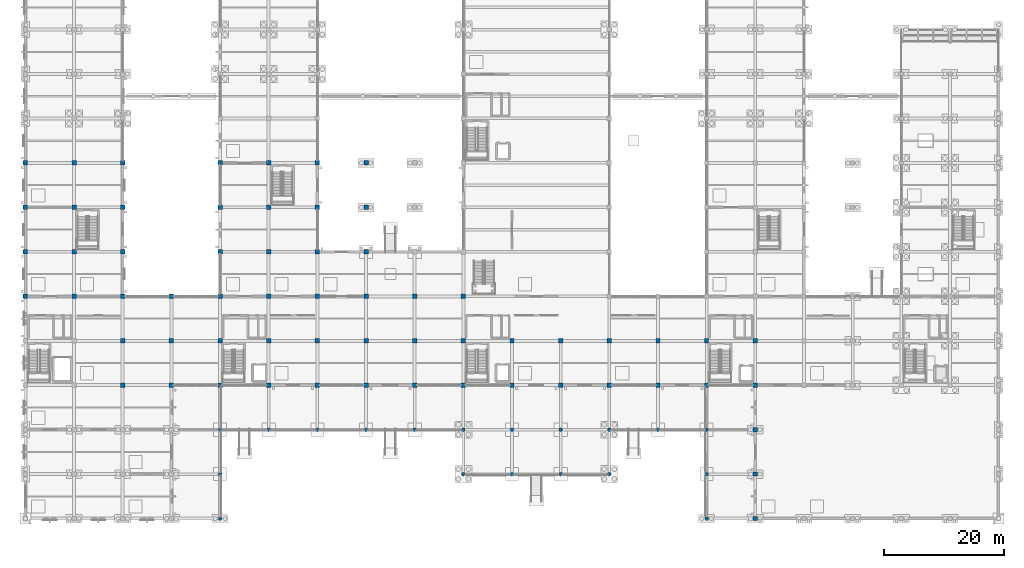
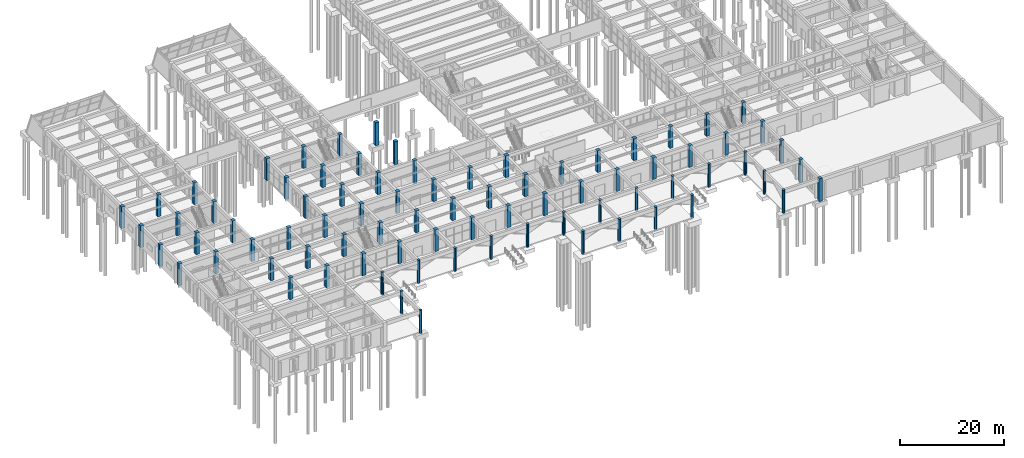
# One storey, part 3 of 140: 81 columns.
"""IFC4 building model written with IfcOpenShell, lengths in metres."""

from ifc_helpers import new_model, si_unit, direction, frame, origin, origin_2d, place, context, subcontext, project, spatial, rectangle, circle, extrude, material, material_profile, profile_set, type_object, element, save


model = new_model("IFC4")

# Units and contexts
model_context = context("Model", 3, precision=1e-05, world=origin(), true_north=direction((0.0, 1.0)))
body_context = subcontext(model_context, "Body", "Model", "MODEL_VIEW")
ifc_project = project(units=[si_unit("LENGTHUNIT", "METRE"), si_unit("AREAUNIT", "SQUARE_METRE"), si_unit("VOLUMEUNIT", "CUBIC_METRE"), si_unit("PLANEANGLEUNIT", "RADIAN"), si_unit("MASSUNIT", "GRAM", prefix="KILO")], contexts=[model_context])

# Site, building, storey
site_placement = place(None, origin())
site = spatial("IfcSite", under=ifc_project, at=site_placement, CompositionType="ELEMENT")
building_placement = place(site_placement, origin())
building = spatial("IfcBuilding", under=site, at=building_placement, Name="Cimatlan Art Gallery", CompositionType="ELEMENT")
storey_placement = place(building_placement, origin())
storey = spatial("IfcBuildingStorey", under=building, at=storey_placement, Name="L00", CompositionType="ELEMENT", Elevation=0.0)

# Columns
ifc_material = material(Name="Concrete C45/55", Category="concrete")
ifc_material_profile_1 = material_profile(ifc_material, circle(Radius=0.300048828125, at=origin_2d()), Name="RCD600")
ifc_profile_set_1 = profile_set([ifc_material_profile_1], Name="Concrete C45/55")
column_type_1 = type_object("IfcColumnType", Name="COL-ARC-600", PredefinedType="COLUMN", material=ifc_profile_set_1)
for number, where, z_axis, x_axis, name in (
    (1, (34.39990234375, 1.699951171875, -0.280029296875), (0.0, 0.0, 1.0), (1.0, 0.0, 0.0), "COL-L00-04-00"),
    (2, (34.39990234375, 9.10009765625, -0.280029296875), (0.0, 0.0, 1.0), (1.0, 0.0, 0.0), "COL-L00-04-01"),
    (3, (34.39990234375, 16.5, -0.280029296875), (0.0, 0.0, 1.0), (1.0, 0.0, 0.0), "COL-L00-04-02"),
    (4, (42.5, 16.5, -0.280029296875), (0.0, 0.0, 1.0), (1.0, 0.0, 0.0), "COL-L00-05-02"),
    (5, (50.60009765625, 16.5, -0.280029296875), (0.0, 0.0, 1.0), (1.0, 0.0, 0.0), "COL-L00-06-02"),
    (6, (58.699951171875, 16.5, -0.280029296875), (0.0, 0.0, 1.0), (1.0, 0.0, 0.0), "COL-L00-07-02"),
    (7, (66.800048828125, 16.5, -0.280029296875), (0.0, 0.0, 1.0), (1.0, 0.0, 0.0), "COL-L00-08-02"),
    (8, (74.89990234375, 9.10009765625, -0.280029296875), (0.0, 0.0, 1.0), (1.0, 0.0, 0.0), "COL-L00-09-01"),
    (9, (74.89990234375, 16.5, -0.280029296875), (0.0, 0.0, 1.0), (1.0, 0.0, 0.0), "COL-L00-09-02"),
    (10, (83.0, 9.10009765625, -0.280029296875), (0.0, 0.0, 1.0), (1.0, 0.0, 0.0), "COL-L00-10-01"),
    (11, (83.0, 16.5, -0.280029296875), (0.0, 0.0, 1.0), (1.0, 0.0, 0.0), "COL-L00-10-02"),
    (12, (91.10009765625, 9.10009765625, -0.280029296875), (0.0, 0.0, 1.0), (1.0, 0.0, 0.0), "COL-L00-11-01"),
    (13, (91.10009765625, 16.5, -0.280029296875), (0.0, 0.0, 1.0), (1.0, 0.0, 0.0), "COL-L00-11-02"),
    (14, (99.199951171875, 9.10009765625, -0.280029296875), (0.0, 0.0, 1.0), (1.0, 0.0, 0.0), "COL-L00-12-01"),
    (15, (99.199951171875, 16.5, -0.280029296875), (0.0, 0.0, 1.0), (1.0, 0.0, 0.0), "COL-L00-12-02"),
    (16, (107.300048828125, 16.5, -0.280029296875), (0.0, 0.0, 1.0), (1.0, 0.0, 0.0), "COL-L00-13-02"),
    (17, (115.39990234375, 1.699951171875, -0.280029296875), (0.0, 0.0, 1.0), (1.0, 0.0, 0.0), "COL-L00-14-00"),
    (18, (115.39990234375, 9.10009765625, -0.280029296875), (0.0, 0.0, 1.0), (1.0, 0.0, 0.0), "COL-L00-14-01"),
    (19, (115.39990234375, 16.5, -0.280029296875), (0.0, 0.0, 1.0), (1.0, 0.0, 0.0), "COL-L00-14-02"),
):
    element("IfcColumn", number, at=place(storey_placement, frame(where, z_axis=z_axis, x_axis=x_axis)), inside=storey, type_object=column_type_1, Name=name, PredefinedType="COLUMN", context=body_context, shape_type="SweptSolid", body=[
        extrude(circle(Radius=0.300048828125, at=origin_2d()), origin(), (0.0, 0.0, 1.0), 5.43994140625),
    ])
ifc_material_profile_2 = material_profile(ifc_material, rectangle(XDim=0.699951171875, YDim=0.699951171875, at=origin_2d()), Name="RC700X700")
ifc_profile_set_2 = profile_set([ifc_material_profile_2], Name="Concrete C45/55")
column_type_2 = type_object("IfcColumnType", Name="COL-RC-700", PredefinedType="COLUMN", material=ifc_profile_set_2)
for number, where, z_axis, x_axis, name in (
    (20, (83.0, 23.89990234375, 0.0), (0.0, 0.0, 1.0), (1.0, 0.0, 0.0), "COL-L00-10-03"),
    (21, (83.0, 31.300048828125, 0.0), (0.0, 0.0, 1.0), (1.0, 0.0, 0.0), "COL-L00-10-04"),
    (22, (91.10009765625, 23.89990234375, 0.0), (0.0, 0.0, 1.0), (1.0, 0.0, 0.0), "COL-L00-11-03"),
    (23, (91.10009765625, 31.300048828125, 0.0), (0.0, 0.0, 1.0), (1.0, 0.0, 0.0), "COL-L00-11-04"),
    (24, (107.300048828125, 23.89990234375, 0.0), (0.0, 0.0, 1.0), (1.0, 0.0, 0.0), "COL-L00-13-03"),
    (25, (107.300048828125, 31.300048828125, 0.0), (0.0, 0.0, 1.0), (1.0, 0.0, 0.0), "COL-L00-13-04"),
    (26, (115.39990234375, 23.89990234375, 0.0), (0.0, 0.0, 1.0), (1.0, 0.0, 0.0), "COL-L00-14-03"),
    (27, (115.39990234375, 31.300048828125, 0.0), (0.0, 0.0, 1.0), (1.0, 0.0, 0.0), "COL-L00-14-04"),
):
    element("IfcColumn", number, at=place(storey_placement, frame(where, z_axis=z_axis, x_axis=x_axis)), inside=storey, type_object=column_type_2, Name=name, PredefinedType="COLUMN", context=body_context, shape_type="SweptSolid", body=[
        extrude(rectangle(XDim=0.699951171875, YDim=0.699951171875, at=origin_2d()), origin(), (0.0, 0.0, 1.0), 5.135009765625),
    ])
for number, where, z_axis, x_axis, name in (
    (28, (123.5, 1.699951171875, -0.280029296875), (0.0, 0.0, 1.0), (1.0, 0.0, 0.0), "COL-L00-15-00"),
    (29, (123.5, 9.10009765625, -0.280029296875), (0.0, 0.0, 1.0), (1.0, 0.0, 0.0), "COL-L00-15-01"),
    (30, (123.5, 16.5, -0.280029296875), (0.0, 0.0, 1.0), (1.0, 0.0, 0.0), "COL-L00-15-02"),
):
    element("IfcColumn", number, at=place(storey_placement, frame(where, z_axis=z_axis, x_axis=x_axis)), inside=storey, type_object=column_type_2, Name=name, PredefinedType="COLUMN", context=body_context, shape_type="SweptSolid", body=[
        extrude(rectangle(XDim=0.699951171875, YDim=0.699951171875, at=origin_2d()), origin(), (0.0, 0.0, 1.0), 5.4150390625),
    ])
for number, where, z_axis, x_axis, name in (
    (31, (123.5, 23.89990234375, 0.0), (0.0, 0.0, 1.0), (1.0, 0.0, 0.0), "COL-L00-15-03"),
    (32, (123.5, 31.300048828125, 0.0), (0.0, 0.0, 1.0), (1.0, 0.0, 0.0), "COL-L00-15-04"),
):
    element("IfcColumn", number, at=place(storey_placement, frame(where, z_axis=z_axis, x_axis=x_axis)), inside=storey, type_object=column_type_2, Name=name, PredefinedType="COLUMN", context=body_context, shape_type="SweptSolid", body=[
        extrude(rectangle(XDim=0.699951171875, YDim=0.699951171875, at=origin_2d()), origin(), (0.0, 0.0, 1.0), 5.135009765625),
    ])
ifc_material_profile_3 = material_profile(ifc_material, rectangle(XDim=0.75, YDim=0.75, at=origin_2d()), Name="RC750X750")
ifc_profile_set_3 = profile_set([ifc_material_profile_3], Name="Concrete C45/55")
column_type_3 = type_object("IfcColumnType", Name="COL-RC-750", PredefinedType="COLUMN", material=ifc_profile_set_3)
for number, where, z_axis, x_axis, name in (
    (33, (2.0, 38.699951171875, 0.0), (0.0, 0.0, 1.0), (1.0, 0.0, 0.0), "COL-L00-00-05"),
    (34, (2.0, 46.10009765625, 0.0), (0.0, 0.0, 1.0), (1.0, 0.0, 0.0), "COL-L00-00-06"),
    (35, (2.0, 53.5, 0.0), (0.0, 0.0, 1.0), (1.0, 0.0, 0.0), "COL-L00-00-07"),
    (36, (2.0, 60.89990234375, 0.0), (0.0, 0.0, 1.0), (1.0, 0.0, 0.0), "COL-L00-00-08"),
    (37, (10.10009765625, 38.699951171875, 0.0), (0.0, 0.0, 1.0), (1.0, 0.0, 0.0), "COL-L00-01-05"),
    (38, (10.10009765625, 46.10009765625, 0.0), (0.0, 0.0, 1.0), (1.0, 0.0, 0.0), "COL-L00-01-06"),
    (39, (10.10009765625, 53.5, 0.0), (0.0, 0.0, 1.0), (1.0, 0.0, 0.0), "COL-L00-01-07"),
    (40, (10.10009765625, 60.89990234375, 0.0), (0.0, 0.0, 1.0), (1.0, 0.0, 0.0), "COL-L00-01-08"),
    (41, (18.199951171875, 23.89990234375, 0.0), (0.0, 0.0, 1.0), (1.0, 0.0, 0.0), "COL-L00-02-03"),
    (42, (18.199951171875, 31.300048828125, 0.0), (0.0, 0.0, 1.0), (1.0, 0.0, 0.0), "COL-L00-02-04"),
    (43, (18.199951171875, 38.699951171875, 0.0), (0.0, 0.0, 1.0), (1.0, 0.0, 0.0), "COL-L00-02-05"),
    (44, (18.199951171875, 46.10009765625, 0.0), (0.0, 0.0, 1.0), (1.0, 0.0, 0.0), "COL-L00-02-06"),
    (45, (18.199951171875, 53.5, 0.0), (0.0, 0.0, 1.0), (1.0, 0.0, 0.0), "COL-L00-02-07"),
    (46, (18.199951171875, 60.89990234375, 0.0), (0.0, 0.0, 1.0), (1.0, 0.0, 0.0), "COL-L00-02-08"),
    (47, (26.300048828125, 23.89990234375, 0.0), (0.0, 0.0, 1.0), (1.0, 0.0, 0.0), "COL-L00-03-03"),
    (48, (26.300048828125, 31.300048828125, 0.0), (0.0, 0.0, 1.0), (1.0, 0.0, 0.0), "COL-L00-03-04"),
    (49, (26.300048828125, 38.699951171875, 0.0), (0.0, 0.0, 1.0), (1.0, 0.0, 0.0), "COL-L00-03-05"),
    (50, (34.39990234375, 23.89990234375, 0.0), (0.0, 0.0, 1.0), (1.0, 0.0, 0.0), "COL-L00-04-03"),
    (51, (34.39990234375, 31.300048828125, 0.0), (0.0, 0.0, 1.0), (1.0, 0.0, 0.0), "COL-L00-04-04"),
    (52, (34.39990234375, 38.699951171875, 0.0), (0.0, 0.0, 1.0), (1.0, 0.0, 0.0), "COL-L00-04-05"),
    (53, (34.39990234375, 46.10009765625, 0.0), (0.0, 0.0, 1.0), (1.0, 0.0, 0.0), "COL-L00-04-06"),
    (54, (34.39990234375, 53.5, 0.0), (0.0, 0.0, 1.0), (1.0, 0.0, 0.0), "COL-L00-04-07"),
    (55, (34.39990234375, 60.89990234375, 0.0), (0.0, 0.0, 1.0), (1.0, 0.0, 0.0), "COL-L00-04-08"),
    (56, (42.5, 23.89990234375, 0.0), (0.0, 0.0, 1.0), (1.0, 0.0, 0.0), "COL-L00-05-03"),
    (57, (42.5, 31.300048828125, 0.0), (0.0, 0.0, 1.0), (1.0, 0.0, 0.0), "COL-L00-05-04"),
    (58, (42.5, 38.699951171875, 0.0), (0.0, 0.0, 1.0), (1.0, 0.0, 0.0), "COL-L00-05-05"),
    (59, (42.5, 46.10009765625, 0.0), (0.0, 0.0, 1.0), (1.0, 0.0, 0.0), "COL-L00-05-06"),
    (60, (42.5, 53.5, 0.0), (0.0, 0.0, 1.0), (1.0, 0.0, 0.0), "COL-L00-05-07"),
    (61, (42.5, 60.89990234375, 0.0), (0.0, 0.0, 1.0), (1.0, 0.0, 0.0), "COL-L00-05-08"),
    (62, (50.60009765625, 23.89990234375, 0.0), (0.0, 0.0, 1.0), (1.0, 0.0, 0.0), "COL-L00-06-03"),
    (63, (50.60009765625, 31.300048828125, 0.0), (0.0, 0.0, 1.0), (1.0, 0.0, 0.0), "COL-L00-06-04"),
    (64, (50.60009765625, 38.699951171875, 0.0), (0.0, 0.0, 1.0), (1.0, 0.0, 0.0), "COL-L00-06-05"),
    (65, (50.60009765625, 46.10009765625, 0.0), (0.0, 0.0, 1.0), (1.0, 0.0, 0.0), "COL-L00-06-06"),
    (66, (50.60009765625, 53.5, 0.0), (0.0, 0.0, 1.0), (1.0, 0.0, 0.0), "COL-L00-06-07"),
    (67, (50.60009765625, 60.89990234375, 0.0), (0.0, 0.0, 1.0), (1.0, 0.0, 0.0), "COL-L00-06-08"),
    (68, (58.699951171875, 23.89990234375, 0.0), (0.0, 0.0, 1.0), (1.0, 0.0, 0.0), "COL-L00-07-03"),
    (69, (58.699951171875, 31.300048828125, 0.0), (0.0, 0.0, 1.0), (1.0, 0.0, 0.0), "COL-L00-07-04"),
    (70, (58.699951171875, 38.699951171875, 0.0), (0.0, 0.0, 1.0), (1.0, 0.0, 0.0), "COL-L00-07-05"),
):
    element("IfcColumn", number, at=place(storey_placement, frame(where, z_axis=z_axis, x_axis=x_axis)), inside=storey, type_object=column_type_3, Name=name, PredefinedType="COLUMN", context=body_context, shape_type="SweptSolid", body=[
        extrude(rectangle(XDim=0.75, YDim=0.75, at=origin_2d()), origin(), (0.0, 0.0, 1.0), 5.135009765625),
    ])
for number, where, z_axis, x_axis, name in (
    (71, (58.699951171875, 46.10009765625, -0.280029296875), (0.0, 0.0, 1.0), (1.0, 0.0, 0.0), "COL-L00-07-06"),
    (72, (58.699951171875, 53.5, -0.280029296875), (0.0, 0.0, 1.0), (1.0, 0.0, 0.0), "COL-L00-07-07"),
    (73, (58.699951171875, 60.89990234375, -0.280029296875), (0.0, 0.0, 1.0), (1.0, 0.0, 0.0), "COL-L00-07-08"),
):
    element("IfcColumn", number, at=place(storey_placement, frame(where, z_axis=z_axis, x_axis=x_axis)), inside=storey, type_object=column_type_3, Name=name, PredefinedType="COLUMN", context=body_context, shape_type="SweptSolid", body=[
        extrude(rectangle(XDim=0.75, YDim=0.75, at=origin_2d()), origin(), (0.0, 0.0, 1.0), 5.4150390625),
    ])
for number, where, z_axis, x_axis, name in (
    (74, (66.800048828125, 23.89990234375, 0.0), (0.0, 0.0, 1.0), (1.0, 0.0, 0.0), "COL-L00-08-03"),
    (75, (66.800048828125, 31.300048828125, 0.0), (0.0, 0.0, 1.0), (1.0, 0.0, 0.0), "COL-L00-08-04"),
    (76, (66.800048828125, 38.699951171875, 0.0), (0.0, 0.0, 1.0), (1.0, 0.0, 0.0), "COL-L00-08-05"),
):
    element("IfcColumn", number, at=place(storey_placement, frame(where, z_axis=z_axis, x_axis=x_axis)), inside=storey, type_object=column_type_3, Name=name, PredefinedType="COLUMN", context=body_context, shape_type="SweptSolid", body=[
        extrude(rectangle(XDim=0.75, YDim=0.75, at=origin_2d()), origin(), (0.0, 0.0, 1.0), 5.135009765625),
    ])
ifc_material_profile_4 = material_profile(ifc_material, rectangle(XDim=0.800048828125, YDim=0.800048828125, at=origin_2d()), Name="RC800X800")
ifc_profile_set_4 = profile_set([ifc_material_profile_4], Name="Concrete C45/55")
column_type_4 = type_object("IfcColumnType", Name="COL-RC-800", PredefinedType="COLUMN", material=ifc_profile_set_4)
for number, where, z_axis, x_axis, name in (
    (77, (74.89990234375, 23.89990234375, 0.0), (0.0, 0.0, 1.0), (1.0, 0.0, 0.0), "COL-L00-09-03"),
    (78, (74.89990234375, 31.300048828125, 0.0), (0.0, 0.0, 1.0), (1.0, 0.0, 0.0), "COL-L00-09-04"),
    (79, (74.89990234375, 38.699951171875, 0.0), (0.0, 0.0, 1.0), (1.0, 0.0, 0.0), "COL-L00-09-05"),
    (80, (99.199951171875, 23.89990234375, 0.0), (0.0, 0.0, 1.0), (1.0, 0.0, 0.0), "COL-L00-12-03"),
    (81, (99.199951171875, 31.300048828125, 0.0), (0.0, 0.0, 1.0), (1.0, 0.0, 0.0), "COL-L00-12-04"),
):
    element("IfcColumn", number, at=place(storey_placement, frame(where, z_axis=z_axis, x_axis=x_axis)), inside=storey, type_object=column_type_4, Name=name, PredefinedType="COLUMN", context=body_context, shape_type="SweptSolid", body=[
        extrude(rectangle(XDim=0.800048828125, YDim=0.800048828125, at=origin_2d()), origin(), (0.0, 0.0, 1.0), 5.135009765625),
    ])

save(model, "model.ifc")
